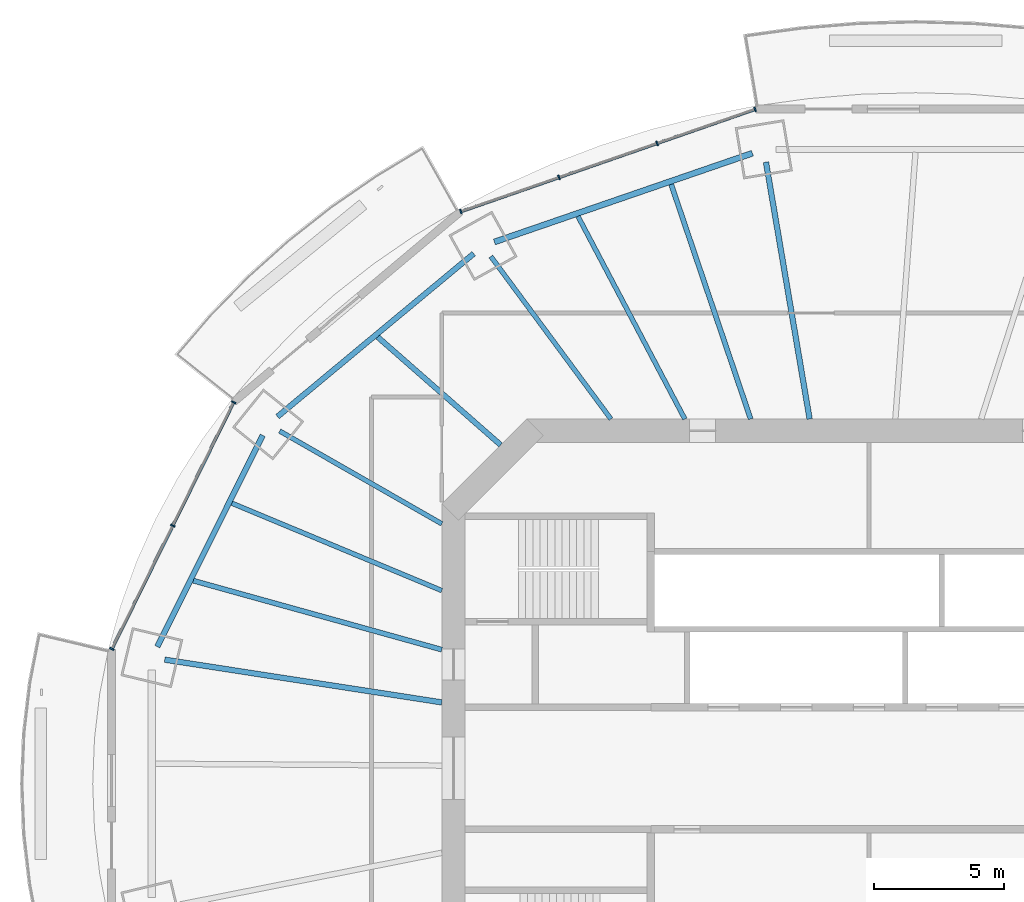
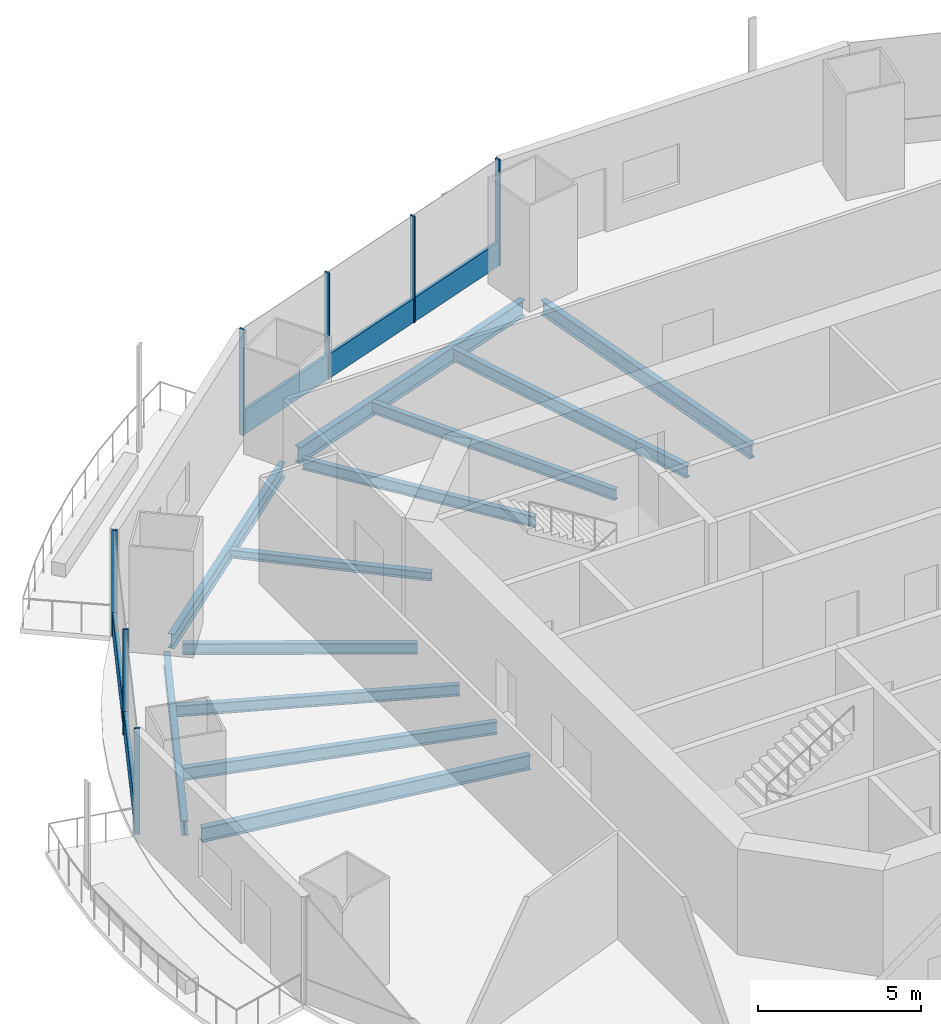
# One storey, part 6 of 21: 12 beams, 9 members, 2 elements without a shape of their own.
"""IFC4 building model written with IfcOpenShell, lengths in metres."""

from ifc_helpers import new_model, si_unit, direction, frame, origin, origin_2d, place, context, subcontext, project, spatial, rectangle, i_section, extrude, material, material_profile, profile_set, type_object, element, aggregate, save


model = new_model("IFC4")

# Units and contexts
model_context = context("Model", 3, precision=1e-05, world=origin(), true_north=direction((0.0, 1.0)))
body_context = subcontext(model_context, "Body", "Model", "MODEL_VIEW")
ifc_project = project(units=[si_unit("LENGTHUNIT", "METRE"), si_unit("AREAUNIT", "SQUARE_METRE"), si_unit("VOLUMEUNIT", "CUBIC_METRE"), si_unit("PLANEANGLEUNIT", "RADIAN"), si_unit("MASSUNIT", "GRAM", prefix="KILO")], contexts=[model_context])

# Site, building, storey
site_placement = place(None, origin())
site = spatial("IfcSite", under=ifc_project, at=site_placement, CompositionType="ELEMENT")
building_placement = place(site_placement, origin())
building = spatial("IfcBuilding", under=site, at=building_placement, Name="Marenthal Gate Tower", CompositionType="ELEMENT")
storey_placement = place(building_placement, frame((0.0, 0.0, 206.699951171875)))
storey = spatial("IfcBuildingStorey", under=building, at=storey_placement, Name="L45", CompositionType="ELEMENT", Elevation=206.699951171875)

# Curtain wall, members
ifc_material_1 = material(Name="Aluminium and glass", Category="aluminium")
curtain_wall_type = type_object("IfcCurtainWallType", Name="Curtain wall typical mid", PredefinedType="NOTDEFINED", material=ifc_material_1)
curtain_wall_1_placement = place(storey_placement, origin())
curtain_wall_1 = element("IfcCurtainWall", 1, at=curtain_wall_1_placement, inside=storey, type_object=curtain_wall_type, Name="Curtain wall L45 bay 5", PredefinedType="NOTDEFINED")
ifc_material_2 = material(Name="Aluminium", Category="aluminium")
ifc_material_profile_1 = material_profile(ifc_material_2, rectangle(XDim=0.179931640625, YDim=0.06005859375, at=origin_2d()), Name="60x180 aluminium mullion")
ifc_profile_set_1 = profile_set([ifc_material_profile_1], Name="Aluminium")
member_type_1 = type_object("IfcMemberType", Name="Mullion 60x180 typical mid", PredefinedType="MULLION", material=ifc_profile_set_1)
member_1_placement = place(storey_placement, frame((-4.3876953125, 25.3759765625, 0.0), z_axis=(0.0, 0.0, 1.0), x_axis=(0.328332307555, -0.944562277362, 0.0)))
member_1 = element("IfcMember", 2, at=member_1_placement, type_object=member_type_1, Name="Mullion L45 bay 5.1", PredefinedType="MULLION", context=body_context, shape_type="SweptSolid", body=[
    extrude(rectangle(XDim=0.179931640625, YDim=0.06005859375, at=origin_2d()), origin(), (0.0, 0.0, 1.0), 3.969970703125),
])
member_2_placement = place(storey_placement, frame((-8.16259765625, 24.06396484375, 0.0), z_axis=(0.0, 0.0, 1.0), x_axis=(0.328332307555, -0.944562277362, 0.0)))
member_2 = element("IfcMember", 3, at=member_2_placement, type_object=member_type_1, Name="Mullion L45 bay 5.2", PredefinedType="MULLION", context=body_context, shape_type="SweptSolid", body=[
    extrude(rectangle(XDim=0.179931640625, YDim=0.06005859375, at=origin_2d()), origin(), (0.0, 0.0, 1.0), 3.969970703125),
])
member_3_placement = place(storey_placement, frame((-11.937255859375, 22.751708984375, 0.0), z_axis=(0.0, 0.0, 1.0), x_axis=(0.328332307555, -0.944562277362, 0.0)))
member_3 = element("IfcMember", 4, at=member_3_placement, type_object=member_type_1, Name="Mullion L45 bay 5.3", PredefinedType="MULLION", context=body_context, shape_type="SweptSolid", body=[
    extrude(rectangle(XDim=0.179931640625, YDim=0.06005859375, at=origin_2d()), origin(), (0.0, 0.0, 1.0), 3.969970703125),
])
member_4_placement = place(storey_placement, frame((-15.712158203125, 21.439697265625, 0.0), z_axis=(0.0, 0.0, 1.0), x_axis=(0.328332307555, -0.944562277362, 0.0)))
member_4 = element("IfcMember", 5, at=member_4_placement, type_object=member_type_1, Name="Mullion L45 bay 5.4", PredefinedType="MULLION", context=body_context, shape_type="SweptSolid", body=[
    extrude(rectangle(XDim=0.179931640625, YDim=0.06005859375, at=origin_2d()), origin(), (0.0, 0.0, 1.0), 3.969970703125),
])

curtain_wall_2_placement = place(storey_placement, origin())
curtain_wall_2 = element("IfcCurtainWall", 6, at=curtain_wall_2_placement, inside=storey, type_object=curtain_wall_type, Name="Curtain wall L45 bay 7", PredefinedType="NOTDEFINED")
member_5_placement = place(storey_placement, frame((-24.464599609375, 14.093017578125, 0.0), z_axis=(0.0, 0.0, 1.0), x_axis=(0.896715617309, -0.442607164057, 0.0)))
member_5 = element("IfcMember", 7, at=member_5_placement, type_object=member_type_1, Name="Mullion L45 bay 7.1", PredefinedType="MULLION", context=body_context, shape_type="SweptSolid", body=[
    extrude(rectangle(XDim=0.179931640625, YDim=0.06005859375, at=origin_2d()), origin(), (0.0, 0.0, 1.0), 3.969970703125),
])
member_6_placement = place(storey_placement, frame((-26.808349609375, 9.34423828125, 0.0), z_axis=(0.0, 0.0, 1.0), x_axis=(0.896715617309, -0.442607164057, 0.0)))
member_6 = element("IfcMember", 8, at=member_6_placement, type_object=member_type_1, Name="Mullion L45 bay 7.2", PredefinedType="MULLION", context=body_context, shape_type="SweptSolid", body=[
    extrude(rectangle(XDim=0.179931640625, YDim=0.06005859375, at=origin_2d()), origin(), (0.0, 0.0, 1.0), 3.969970703125),
])
member_7_placement = place(storey_placement, frame((-29.152099609375, 4.595703125, 0.0), z_axis=(0.0, 0.0, 1.0), x_axis=(0.896715617309, -0.442607164057, 0.0)))
member_7 = element("IfcMember", 9, at=member_7_placement, type_object=member_type_1, Name="Mullion L45 bay 7.3", PredefinedType="MULLION", context=body_context, shape_type="SweptSolid", body=[
    extrude(rectangle(XDim=0.179931640625, YDim=0.06005859375, at=origin_2d()), origin(), (0.0, 0.0, 1.0), 3.969970703125),
])

# Member
ifc_material_3 = material(Name="Aluminium", Category="aluminium")
ifc_material_profile_2 = material_profile(ifc_material_3, rectangle(XDim=0.1201171875, YDim=0.89990234375, at=origin_2d()), Name="120x900 aluminium transom")
ifc_profile_set_2 = profile_set([ifc_material_profile_2], Name="Aluminium")
member_type_2 = type_object("IfcMemberType", Name="Transom 120x900 typical mid", PredefinedType="USERDEFINED", material=ifc_profile_set_2)
member_8_placement = place(storey_placement, frame((-4.416015625, 25.3662109375, 0.449951171875), z_axis=(-0.944561661675, -0.328334078787, 0.0), x_axis=(0.328334078787, -0.944561661675, 0.0)))
member_8 = element("IfcMember", 10, at=member_8_placement, type_object=member_type_2, Name="Transom L45 bay 5", ObjectType="TRANSOM", PredefinedType="USERDEFINED", context=body_context, shape_type="SweptSolid", body=[
    extrude(rectangle(XDim=0.1201171875, YDim=0.89990234375, at=origin_2d()), origin(), (0.0, 0.0, 1.0), 11.92919921875),
])

aggregate(curtain_wall_1, [member_1, member_2, member_3, member_4, member_8])

member_9_placement = place(storey_placement, frame((-24.477783203125, 14.06591796875, 0.449951171875), z_axis=(-0.442617393568, -0.896710568082, 0.0), x_axis=(0.896710568082, -0.442617393568, 0.0)))
member_9 = element("IfcMember", 11, at=member_9_placement, type_object=member_type_2, Name="Transom L45 bay 7", ObjectType="TRANSOM", PredefinedType="USERDEFINED", context=body_context, shape_type="SweptSolid", body=[
    extrude(rectangle(XDim=0.1201171875, YDim=0.89990234375, at=origin_2d()), origin(), (0.0, 0.0, 1.0), 10.53076171875),
])

aggregate(curtain_wall_2, [member_5, member_6, member_7, member_9])

# Beams
ifc_material_4 = material(Name="Steel S355", Category="steel")
ifc_material_profile_3 = material_profile(ifc_material_4, i_section(OverallWidth=0.205078125, OverallDepth=0.31005859375, WebThickness=0.009521484375, FlangeThickness=0.016357421875, FilletRadius=0.0126953125, at=origin_2d()), Name="W310X74")
ifc_profile_set_3 = profile_set([ifc_material_profile_3], Name="Steel S355")
beam_type_1 = type_object("IfcBeamType", Name="W310X74 beam", PredefinedType="BEAM", material=ifc_profile_set_3)
beam_1_placement = place(storey_placement, frame((-18.91943359375, 16.608154296875, -0.3349609375), z_axis=(0.751533938028, -0.659694429256, 0.0), x_axis=(0.659694429256, 0.751533938028, 0.0)))
element("IfcBeam", 12, at=beam_1_placement, inside=storey, type_object=beam_type_1, Name="BM-L45-25", PredefinedType="BEAM", context=body_context, shape_type="SweptSolid", body=[
    extrude(i_section(OverallWidth=0.205078125, OverallDepth=0.31005859375, WebThickness=0.009521484375, FlangeThickness=0.016357421875, FilletRadius=0.0126953125, at=origin_2d()), origin(), (0.0, 0.0, 1.0), 6.30029296875),
])
ifc_material_5 = material(Name="Steel S355", Category="steel")
ifc_material_profile_4 = material_profile(ifc_material_5, i_section(OverallWidth=0.180908203125, OverallDepth=0.4169921875, WebThickness=0.010986328125, FlangeThickness=0.018310546875, FilletRadius=0.01025390625, at=origin_2d()), Name="W410X85")
ifc_profile_set_4 = profile_set([ifc_material_profile_4], Name="Steel S355")
beam_type_2 = type_object("IfcBeamType", Name="W410X85 beam", PredefinedType="BEAM", material=ifc_profile_set_4)
beam_2_placement = place(storey_placement, frame((-14.560546875, 19.70703125, -0.388427734375), z_axis=(0.594245459815, -0.804283739416, 0.0), x_axis=(0.804283739416, 0.594245459815, 0.0)))
element("IfcBeam", 13, at=beam_2_placement, inside=storey, type_object=beam_type_2, Name="BM-L45-06", PredefinedType="BEAM", context=body_context, shape_type="SweptSolid", body=[
    extrude(i_section(OverallWidth=0.180908203125, OverallDepth=0.4169921875, WebThickness=0.010986328125, FlangeThickness=0.018310546875, FilletRadius=0.01025390625, at=origin_2d()), origin(), (0.0, 0.0, 1.0), 7.77978515625),
])
beam_3_placement = place(storey_placement, frame((-22.6923828125, 12.9873046875, -0.388427734375), z_axis=(0.867919181823, -0.496705439697, 0.0), x_axis=(0.496705439697, 0.867919181823, 0.0)))
element("IfcBeam", 14, at=beam_3_placement, inside=storey, type_object=beam_type_2, Name="BM-L45-07", PredefinedType="BEAM", context=body_context, shape_type="SweptSolid", body=[
    extrude(i_section(OverallWidth=0.180908203125, OverallDepth=0.4169921875, WebThickness=0.010986328125, FlangeThickness=0.018310546875, FilletRadius=0.01025390625, at=origin_2d()), origin(), (0.0, 0.0, 1.0), 7.1923828125),
])
beam_4_placement = place(storey_placement, frame((-11.204833984375, 21.253662109375, -0.388427734375), z_axis=(0.466349709383, -0.884600445714, 0.0), x_axis=(0.884600445714, 0.466349709383, 0.0)))
element("IfcBeam", 15, at=beam_4_placement, inside=storey, type_object=beam_type_2, Name="BM-L45-24", PredefinedType="BEAM", context=body_context, shape_type="SweptSolid", body=[
    extrude(i_section(OverallWidth=0.180908203125, OverallDepth=0.4169921875, WebThickness=0.010986328125, FlangeThickness=0.018310546875, FilletRadius=0.01025390625, at=origin_2d()), origin(), (0.0, 0.0, 1.0), 8.82177734375),
])
beam_5_placement = place(storey_placement, frame((-24.531982421875, 10.20751953125, -0.388427734375), z_axis=(0.923258350407, -0.384179669431, 0.0), x_axis=(0.384179669431, 0.923258350407, 0.0)))
element("IfcBeam", 16, at=beam_5_placement, inside=storey, type_object=beam_type_2, Name="BM-L45-26", PredefinedType="BEAM", context=body_context, shape_type="SweptSolid", body=[
    extrude(i_section(OverallWidth=0.180908203125, OverallDepth=0.4169921875, WebThickness=0.010986328125, FlangeThickness=0.018310546875, FilletRadius=0.01025390625, at=origin_2d()), origin(), (0.0, 0.0, 1.0), 8.75390625),
])
ifc_material_6 = material(Name="Steel S355", Category="steel")
ifc_material_profile_5 = material_profile(ifc_material_6, i_section(OverallWidth=0.193115234375, OverallDepth=0.467041015625, WebThickness=0.011474609375, FlangeThickness=0.01904296875, FilletRadius=0.010009765625, at=origin_2d()), Name="W460X97")
ifc_profile_set_5 = profile_set([ifc_material_profile_5], Name="Steel S355")
beam_type_3 = type_object("IfcBeamType", Name="W460X97 beam", PredefinedType="BEAM", material=ifc_profile_set_5)
beam_6_placement = place(storey_placement, frame((-7.6181640625, 22.48779296875, -0.413330078125), z_axis=(0.320859970295, -0.947126643835, 0.0), x_axis=(0.947126643835, 0.320859970295, 0.0)))
element("IfcBeam", 17, at=beam_6_placement, inside=storey, type_object=beam_type_3, Name="BM-L45-23", PredefinedType="BEAM", context=body_context, shape_type="SweptSolid", body=[
    extrude(i_section(OverallWidth=0.193115234375, OverallDepth=0.467041015625, WebThickness=0.011474609375, FlangeThickness=0.01904296875, FilletRadius=0.010009765625, at=origin_2d()), origin(), (0.0, 0.0, 1.0), 9.54248046875),
])
beam_7_placement = place(storey_placement, frame((-26.018798828125, 7.2255859375, -0.413330078125), z_axis=(0.963531996353, -0.267593146408, 0.0), x_axis=(0.267593146408, 0.963531996353, 0.0)))
element("IfcBeam", 18, at=beam_7_placement, inside=storey, type_object=beam_type_3, Name="BM-L45-27", PredefinedType="BEAM", context=body_context, shape_type="SweptSolid", body=[
    extrude(i_section(OverallWidth=0.193115234375, OverallDepth=0.467041015625, WebThickness=0.011474609375, FlangeThickness=0.01904296875, FilletRadius=0.010009765625, at=origin_2d()), origin(), (0.0, 0.0, 1.0), 9.930908203125),
])
ifc_material_7 = material(Name="Steel S355", Category="steel")
ifc_material_profile_6 = material_profile(ifc_material_7, i_section(OverallWidth=0.2119140625, OverallDepth=0.5439453125, WebThickness=0.01318359375, FlangeThickness=0.021240234375, FilletRadius=0.0126953125, at=origin_2d()), Name="W530X123")
ifc_profile_set_6 = profile_set([ifc_material_profile_6], Name="Steel S355")
beam_type_4 = type_object("IfcBeamType", Name="W530X123 beam", PredefinedType="BEAM", material=ifc_profile_set_6)
beam_8_placement = place(storey_placement, frame((-3.96728515625, 23.34326171875, -0.451904296875), z_axis=(0.167550331525, -0.985863523215, 0.0), x_axis=(0.985863523215, 0.167550331525, 0.0)))
element("IfcBeam", 19, at=beam_8_placement, inside=storey, type_object=beam_type_4, Name="BM-L45-05", PredefinedType="BEAM", context=body_context, shape_type="SweptSolid", body=[
    extrude(i_section(OverallWidth=0.2119140625, OverallDepth=0.5439453125, WebThickness=0.01318359375, FlangeThickness=0.021240234375, FilletRadius=0.0126953125, at=origin_2d()), origin(), (0.0, 0.0, 1.0), 10.03515625),
])
beam_9_placement = place(storey_placement, frame((-27.118408203125, 4.183837890625, -0.451904296875), z_axis=(0.988309648114, -0.152459960134, 0.0), x_axis=(0.152459960134, 0.988309648114, 0.0)))
element("IfcBeam", 20, at=beam_9_placement, inside=storey, type_object=beam_type_4, Name="BM-L45-08", PredefinedType="BEAM", context=body_context, shape_type="SweptSolid", body=[
    extrude(i_section(OverallWidth=0.2119140625, OverallDepth=0.5439453125, WebThickness=0.01318359375, FlangeThickness=0.021240234375, FilletRadius=0.0126953125, at=origin_2d()), origin(), (0.0, 0.0, 1.0), 10.794677734375),
])
beam_10_placement = place(storey_placement, frame((-15.2216796875, 19.81787109375, -0.451904296875), z_axis=(-0.769206538699, -0.639000235386, 0.0), x_axis=(0.639000235386, -0.769206538699, 0.0)))
element("IfcBeam", 21, at=beam_10_placement, inside=storey, type_object=beam_type_4, Name="BM-L45-46", PredefinedType="BEAM", context=body_context, shape_type="SweptSolid", body=[
    extrude(i_section(OverallWidth=0.2119140625, OverallDepth=0.5439453125, WebThickness=0.01318359375, FlangeThickness=0.021240234375, FilletRadius=0.0126953125, at=origin_2d()), origin(), (0.0, 0.0, 1.0), 9.8212890625),
])
beam_11_placement = place(storey_placement, frame((-23.34814453125, 12.8193359375, -0.451904296875), z_axis=(-0.44623554271, -0.894915549324, 0.0), x_axis=(0.894915549324, -0.44623554271, 0.0)))
element("IfcBeam", 22, at=beam_11_placement, inside=storey, type_object=beam_type_4, Name="BM-L45-47", PredefinedType="BEAM", context=body_context, shape_type="SweptSolid", body=[
    extrude(i_section(OverallWidth=0.2119140625, OverallDepth=0.5439453125, WebThickness=0.01318359375, FlangeThickness=0.021240234375, FilletRadius=0.0126953125, at=origin_2d()), origin(), (0.0, 0.0, 1.0), 9.088623046875),
])
ifc_material_8 = material(Name="Steel S355", Category="steel")
ifc_material_profile_7 = material_profile(ifc_material_8, i_section(OverallWidth=0.22900390625, OverallDepth=0.612060546875, WebThickness=0.011962890625, FlangeThickness=0.01953125, FilletRadius=0.0126953125, at=origin_2d()), Name="W610X125")
ifc_profile_set_7 = profile_set([ifc_material_profile_7], Name="Steel S355")
beam_type_5 = type_object("IfcBeamType", Name="W610X125 beam", PredefinedType="BEAM", material=ifc_profile_set_7)
beam_12_placement = place(storey_placement, frame((-4.489501953125, 23.685546875, -0.48583984375), z_axis=(-0.945582956363, -0.325381119053, 0.0), x_axis=(0.325381119053, -0.945582956363, 0.0)))
element("IfcBeam", 23, at=beam_12_placement, inside=storey, type_object=beam_type_5, Name="BM-L45-45", PredefinedType="BEAM", context=body_context, shape_type="SweptSolid", body=[
    extrude(i_section(OverallWidth=0.22900390625, OverallDepth=0.612060546875, WebThickness=0.011962890625, FlangeThickness=0.01953125, FilletRadius=0.0126953125, at=origin_2d()), origin(), (0.0, 0.0, 1.0), 10.50537109375),
])

save(model, "model.ifc")
